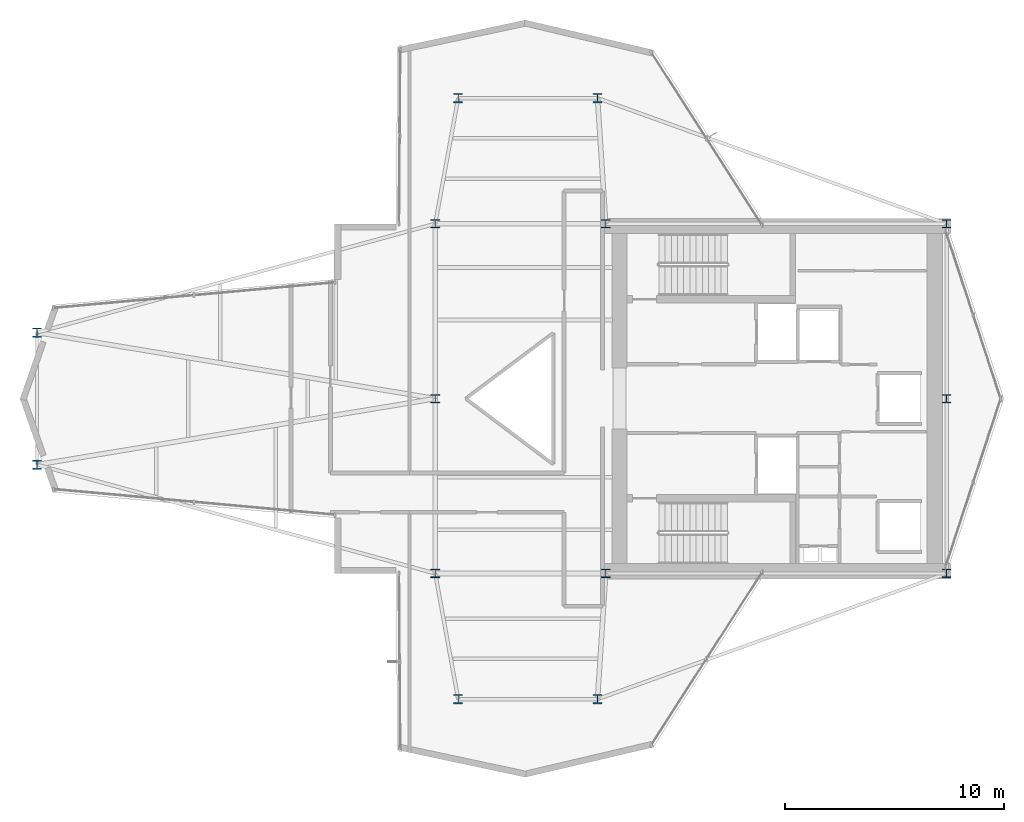
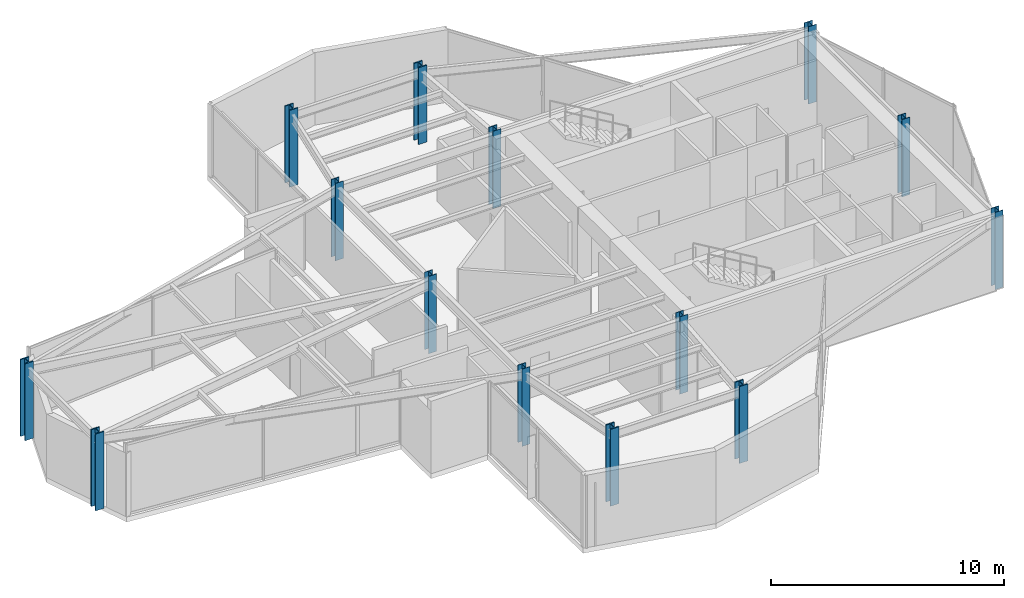
# One storey, part 1 of 23: 14 columns.
"""IFC4 building model written with IfcOpenShell, lengths in metres."""

from ifc_helpers import new_model, si_unit, direction, frame, origin, origin_2d, place, context, subcontext, project, spatial, i_section, extrude, material, material_profile, profile_set, type_object, element, save


model = new_model("IFC4")

# Units and contexts
model_context = context("Model", 3, precision=1e-05, world=origin(), true_north=direction((0.0, 1.0)))
body_context = subcontext(model_context, "Body", "Model", "MODEL_VIEW")
ifc_project = project(units=[si_unit("LENGTHUNIT", "METRE"), si_unit("AREAUNIT", "SQUARE_METRE"), si_unit("VOLUMEUNIT", "CUBIC_METRE"), si_unit("PLANEANGLEUNIT", "RADIAN"), si_unit("MASSUNIT", "GRAM", prefix="KILO")], contexts=[model_context])

# Site, building, storey
site_placement = place(None, origin())
site = spatial("IfcSite", under=ifc_project, at=site_placement, CompositionType="ELEMENT")
building_placement = place(site_placement, origin())
building = spatial("IfcBuilding", under=site, at=building_placement, Name="Veymaron Broadcast Tower", CompositionType="ELEMENT")
storey_placement = place(building_placement, frame((0.0, 0.0, 191.85009765625)))
storey = spatial("IfcBuildingStorey", under=building, at=storey_placement, Name="L44", CompositionType="ELEMENT", Elevation=191.85009765625)

# Columns
ifc_material_1 = material(Name="Structural steel ASTM A992 Gr 50", Category="steel")
ifc_material_profile_1 = material_profile(ifc_material_1, i_section(OverallWidth=0.39404296875, OverallDepth=0.375, WebThickness=0.017333984375, FlangeThickness=0.027587890625, at=origin_2d()), Name="W360X216")
ifc_profile_set_1 = profile_set([ifc_material_profile_1], Name="Structural steel ASTM A992 Gr 50")
column_type_1 = type_object("IfcColumnType", Name="COL-HC3", PredefinedType="COLUMN", material=ifc_profile_set_1)
for number, where, z_axis, x_axis, name in (
    (1, (31.199951171875, 16.0, 0.0), (0.0, 0.0, 1.0), (1.0, 0.0, 0.0), "L44 structural hub and core column"),
    (2, (31.199951171875, 24.0, 0.0), (0.0, 0.0, 1.0), (1.0, 0.0, 0.0), "L44 structural hub and core column"),
    (3, (31.199951171875, 32.0, 0.0), (0.0, 0.0, 1.0), (1.0, 0.0, 0.0), "L44 structural hub and core column"),
    (4, (39.0, 16.0, 0.0), (0.0, 0.0, 1.0), (1.0, 0.0, 0.0), "L44 structural hub and core column"),
    (5, (39.0, 32.0, 0.0), (0.0, 0.0, 1.0), (1.0, 0.0, 0.0), "L44 structural hub and core column"),
    (6, (54.60009765625, 16.0, 0.0), (0.0, 0.0, 1.0), (1.0, 0.0, 0.0), "L44 structural hub and core column"),
    (7, (54.60009765625, 24.0, 0.0), (0.0, 0.0, 1.0), (1.0, 0.0, 0.0), "L44 structural hub and core column"),
    (8, (54.60009765625, 32.0, 0.0), (0.0, 0.0, 1.0), (1.0, 0.0, 0.0), "L44 structural hub and core column"),
):
    element("IfcColumn", number, at=place(storey_placement, frame(where, z_axis=z_axis, x_axis=x_axis)), inside=storey, type_object=column_type_1, Name=name, PredefinedType="COLUMN", context=body_context, shape_type="SweptSolid", body=[
        extrude(i_section(OverallWidth=0.39404296875, OverallDepth=0.375, WebThickness=0.017333984375, FlangeThickness=0.027587890625, at=origin_2d()), origin(), (0.0, 0.0, 1.0), 4.0439453125),
    ])
ifc_material_2 = material(Name="Structural steel ASTM A913 Gr 65", Category="steel")
ifc_material_profile_2 = material_profile(ifc_material_2, i_section(OverallWidth=0.412109375, OverallDepth=0.43505859375, WebThickness=0.035888671875, FlangeThickness=0.05810546875, at=origin_2d()), Name="W360X463")
ifc_profile_set_2 = profile_set([ifc_material_profile_2], Name="Structural steel ASTM A913 Gr 65")
column_type_2 = type_object("IfcColumnType", Name="COL-MC3", PredefinedType="COLUMN", material=ifc_profile_set_2)
for number, where, z_axis, x_axis, name in (
    (9, (12.97509765625, 20.97509765625, 0.015869140625), (0.0, 0.0, 1.0), (1.0, 0.0, 0.0), "L44 Tapered Wing Mega Column"),
    (10, (12.97509765625, 27.02490234375, 0.015869140625), (0.0, 0.0, 1.0), (1.0, 0.0, 0.0), "L44 Tapered Wing Mega Column"),
    (11, (32.25, 37.75, 0.015869140625), (0.0, 0.0, 1.0), (1.0, 0.0, 0.0), "L44 Tapered Wing Mega Column"),
    (12, (38.625, 37.75, 0.015869140625), (0.0, 0.0, 1.0), (1.0, 0.0, 0.0), "L44 Tapered Wing Mega Column"),
    (13, (32.25, 10.25, 0.015869140625), (0.0, 0.0, 1.0), (1.0, 0.0, 0.0), "L44 Tapered Wing Mega Column"),
    (14, (38.625, 10.25, 0.015869140625), (0.0, 0.0, 1.0), (1.0, 0.0, 0.0), "L44 Tapered Wing Mega Column"),
):
    element("IfcColumn", number, at=place(storey_placement, frame(where, z_axis=z_axis, x_axis=x_axis)), inside=storey, type_object=column_type_2, Name=name, PredefinedType="COLUMN", context=body_context, shape_type="SweptSolid", body=[
        extrude(i_section(OverallWidth=0.412109375, OverallDepth=0.43505859375, WebThickness=0.035888671875, FlangeThickness=0.05810546875, at=origin_2d()), origin(), (0.0, 0.0, 1.0), 4.01806640625),
    ])

save(model, "model.ifc")
